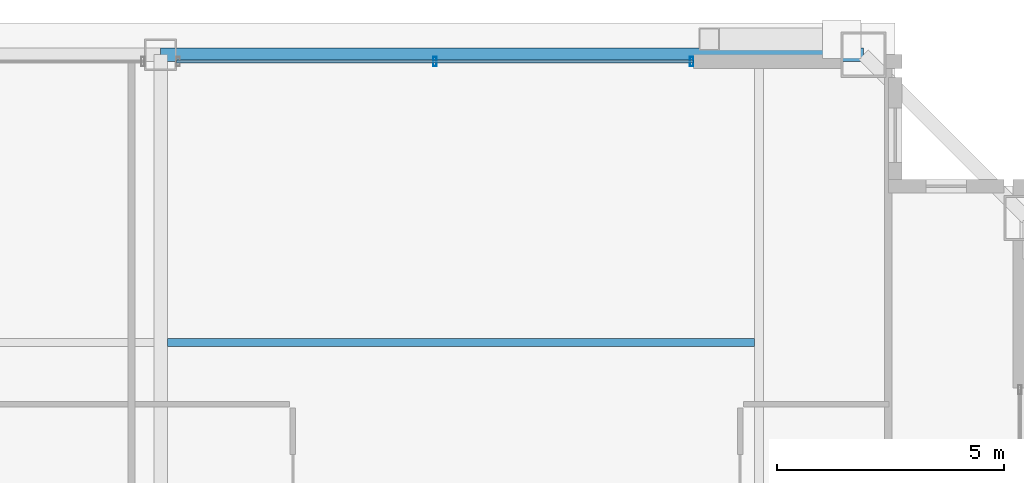
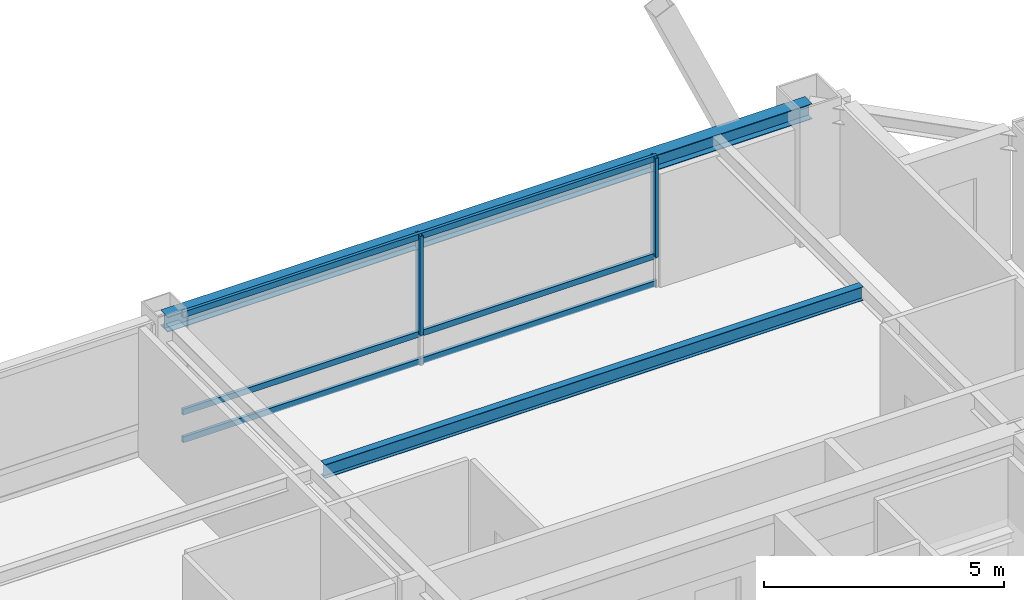
# One storey, part 18 of 34: 5 members, 2 beams, 1 element without a shape of its own.
"""IFC4 building model written with IfcOpenShell, lengths in metres."""

from ifc_helpers import new_model, si_unit, direction, frame, origin, origin_2d, place, context, subcontext, project, spatial, hollow_rectangle, i_section, extrude, source, transform, mapped, material, layer, layer_set, material_profile, profile_set, type_object, element, aggregate, save


model = new_model("IFC4")

# Units and contexts
model_context = context("Model", 3, precision=1e-05, world=origin(), true_north=direction((0.0, 1.0)))
body_context = subcontext(model_context, "Body", "Model", "MODEL_VIEW")
ifc_project = project(units=[si_unit("LENGTHUNIT", "METRE"), si_unit("AREAUNIT", "SQUARE_METRE"), si_unit("VOLUMEUNIT", "CUBIC_METRE"), si_unit("PLANEANGLEUNIT", "RADIAN"), si_unit("MASSUNIT", "GRAM", prefix="KILO"), si_unit("THERMODYNAMICTEMPERATUREUNIT", "KELVIN"), si_unit("POWERUNIT", "WATT")], contexts=[model_context])

# Site, building, storey
site_placement = place(None, origin())
site = spatial("IfcSite", under=ifc_project, at=site_placement, CompositionType="ELEMENT")
building_placement = place(site_placement, origin())
building = spatial("IfcBuilding", under=site, at=building_placement, Name="Yuzanri Waterfront Tower", CompositionType="ELEMENT")
storey_placement = place(building_placement, frame((0.0, 0.0, 328.699951171875)))
storey = spatial("IfcBuildingStorey", under=building, at=storey_placement, Name="L88", CompositionType="ELEMENT", Elevation=328.699951171875)

# Beams
ifc_material_1 = material(Name="Steel Q355B", Category="steel")
ifc_material_profile_1 = material_profile(ifc_material_1, i_section(OverallWidth=0.175048828125, OverallDepth=0.35009765625, WebThickness=0.007080078125, FlangeThickness=0.010986328125, at=origin_2d()), Name="HN 350x175x7x11")
ifc_profile_set_1 = profile_set([ifc_material_profile_1], Name="Steel Q355B")
beam_type_1 = type_object("IfcBeamType", Name="Floor Joist Q355B HN 350x175", PredefinedType="JOIST", material=ifc_profile_set_1)
shared_shape_1 = source(origin(), body_context, "Body", "SweptSolid", [
    extrude(i_section(OverallWidth=0.175048828125, OverallDepth=0.35009765625, WebThickness=0.007080078125, FlangeThickness=0.010986328125, at=origin_2d()), origin(), (0.0, 0.0, 1.0), 12.9501953125),
])
beam_1_placement = place(storey_placement, frame((37.14990234375, 38.550048828125, 3.10498046875), z_axis=(1.0, 0.0, 0.0), x_axis=(0.0, 1.0, 0.0)))
element("IfcBeam", 1, at=beam_1_placement, inside=storey, type_object=beam_type_1, Name="L88 North Bay Joist E", PredefinedType="JOIST", context=body_context, shape_type="MappedRepresentation", body=[
    mapped(shared_shape_1, transform((0.0, 0.0, 0.0), scale=1.0)),
])
ifc_material_2 = material(Name="Steel Q355B", Category="steel")
ifc_material_profile_2 = material_profile(ifc_material_2, i_section(OverallWidth=0.300048828125, OverallDepth=0.389892578125, WebThickness=0.010009765625, FlangeThickness=0.01611328125, at=origin_2d()), Name="HM 390x300x10x16")
ifc_profile_set_2 = profile_set([ifc_material_profile_2], Name="Steel Q355B")
beam_type_2 = type_object("IfcBeamType", Name="Perimeter Spandrel Q355B HM 390x300", PredefinedType="SPANDREL", material=ifc_profile_set_2)
shared_shape_2 = source(origin(), body_context, "Body", "SweptSolid", [
    extrude(i_section(OverallWidth=0.300048828125, OverallDepth=0.389892578125, WebThickness=0.010009765625, FlangeThickness=0.01611328125, at=origin_2d()), origin(), (0.0, 0.0, 1.0), 15.5),
])
beam_2_placement = place(storey_placement, frame((52.5, 44.89990234375, 3.0849609375), z_axis=(-1.0, 0.0, 0.0), x_axis=(0.0, -1.0, 0.0)))
element("IfcBeam", 2, at=beam_2_placement, inside=storey, type_object=beam_type_2, Name="L88 Perimeter Spandrel N3-N2", PredefinedType="SPANDREL", context=body_context, shape_type="MappedRepresentation", body=[
    mapped(shared_shape_2, transform((0.0, 0.0, 0.0), scale=1.0)),
])

# Curtain wall, members
ifc_material_3 = material(Name="Anodized Architectural Bronze", Category="metal")
ifc_layer = layer(ifc_material_3, 0.159912109375)
ifc_layer_set = layer_set([ifc_layer], Name="Anodized Architectural Bronze")
curtain_wall_type = type_object("IfcCurtainWallType", Name="Anodized Bronze High-Rise Penthouse High-Wind Unitized Curtain Wall 6900", PredefinedType="NOTDEFINED", material=ifc_layer_set)
curtain_wall_placement = place(storey_placement, origin())
curtain_wall = element("IfcCurtainWall", 3, at=curtain_wall_placement, inside=storey, type_object=curtain_wall_type, Name="L88 Curtain Wall CW-L88-NR", PredefinedType="NOTDEFINED")
ifc_material_4 = material(Name="Anodized Architectural Bronze", Category="metal")
ifc_material_profile_3 = material_profile(ifc_material_4, hollow_rectangle(XDim=0.074951171875, YDim=0.199951171875, WallThickness=0.00390625, at=origin_2d()), Name="CWM 75x200")
ifc_profile_set_3 = profile_set([ifc_material_profile_3], Name="Anodized Architectural Bronze")
member_type_1 = type_object("IfcMemberType", Name="Anodized Bronze Primary Curtain-Wall Mullion 75x200", PredefinedType="MULLION", material=ifc_profile_set_3)
shared_shape_3 = source(origin(), body_context, "Body", "SweptSolid", [
    extrude(hollow_rectangle(XDim=0.074951171875, YDim=0.199951171875, WallThickness=0.00390625, at=origin_2d()), origin(), (0.0, 0.0, 1.0), 2.52392578125),
])
member_1_placement = place(storey_placement, frame((43.050048828125, 44.75, 0.756103515625), z_axis=(0.0, 0.0, 1.0), x_axis=(1.0, 0.0, 0.0)))
member_1 = element("IfcMember", 4, at=member_1_placement, type_object=member_type_1, Name="CW-L88-NR Upper Mullion 01", PredefinedType="MULLION", context=body_context, shape_type="MappedRepresentation", body=[
    mapped(shared_shape_3, transform((0.0, 0.0, 0.0), scale=1.0)),
])
member_2_placement = place(storey_placement, frame((48.7099609375, 44.75, 0.756103515625), z_axis=(0.0, 0.0, 1.0), x_axis=(1.0, 0.0, 0.0)))
member_2 = element("IfcMember", 5, at=member_2_placement, type_object=member_type_1, Name="CW-L88-NR Upper Mullion 02", PredefinedType="MULLION", context=body_context, shape_type="MappedRepresentation", body=[
    mapped(shared_shape_3, transform((0.0, 0.0, 0.0), scale=1.0)),
])
ifc_material_5 = material(Name="Anodized Architectural Bronze", Category="metal")
ifc_material_profile_4 = material_profile(ifc_material_5, hollow_rectangle(XDim=0.074951171875, YDim=0.14990234375, WallThickness=0.00390625, at=origin_2d()), Name="CWT 75x150")
ifc_profile_set_4 = profile_set([ifc_material_profile_4], Name="Anodized Architectural Bronze")
member_type_2 = type_object("IfcMemberType", Name="Anodized Bronze Primary Curtain-Wall Transom 75x150", PredefinedType="USERDEFINED", material=ifc_profile_set_4)
shared_shape_4 = source(origin(), body_context, "Body", "SweptSolid", [
    extrude(hollow_rectangle(XDim=0.074951171875, YDim=0.14990234375, WallThickness=0.00390625, at=origin_2d()), origin(), (0.0, 0.0, 1.0), 11.39990234375),
])
member_3_placement = place(storey_placement, frame((37.35009765625, 44.75, 0.050048828125), z_axis=(1.0, 0.0, 0.0), x_axis=(0.0, 1.0, 0.0)))
member_3 = element("IfcMember", 6, at=member_3_placement, type_object=member_type_2, Name="CW-L88-NR Transom 1", ObjectType="TRANSOM", PredefinedType="USERDEFINED", context=body_context, shape_type="MappedRepresentation", body=[
    mapped(shared_shape_4, transform((0.0, 0.0, 0.0), scale=1.0)),
])
member_4_placement = place(storey_placement, frame((37.35009765625, 44.75, 0.754150390625), z_axis=(1.0, 0.0, 0.0), x_axis=(0.0, 1.0, 0.0)))
member_4 = element("IfcMember", 7, at=member_4_placement, type_object=member_type_2, Name="CW-L88-NR Transom 2", ObjectType="TRANSOM", PredefinedType="USERDEFINED", context=body_context, shape_type="MappedRepresentation", body=[
    mapped(shared_shape_4, transform((0.0, 0.0, 0.0), scale=1.0)),
])
member_5_placement = place(storey_placement, frame((37.35009765625, 44.75, 3.22998046875), z_axis=(1.0, 0.0, 0.0), x_axis=(0.0, 1.0, 0.0)))
member_5 = element("IfcMember", 8, at=member_5_placement, type_object=member_type_2, Name="CW-L88-NR Transom 3", ObjectType="TRANSOM", PredefinedType="USERDEFINED", context=body_context, shape_type="MappedRepresentation", body=[
    mapped(shared_shape_4, transform((0.0, 0.0, 0.0), scale=1.0)),
])
aggregate(curtain_wall, [member_1, member_2, member_3, member_4, member_5])

save(model, "model.ifc")
